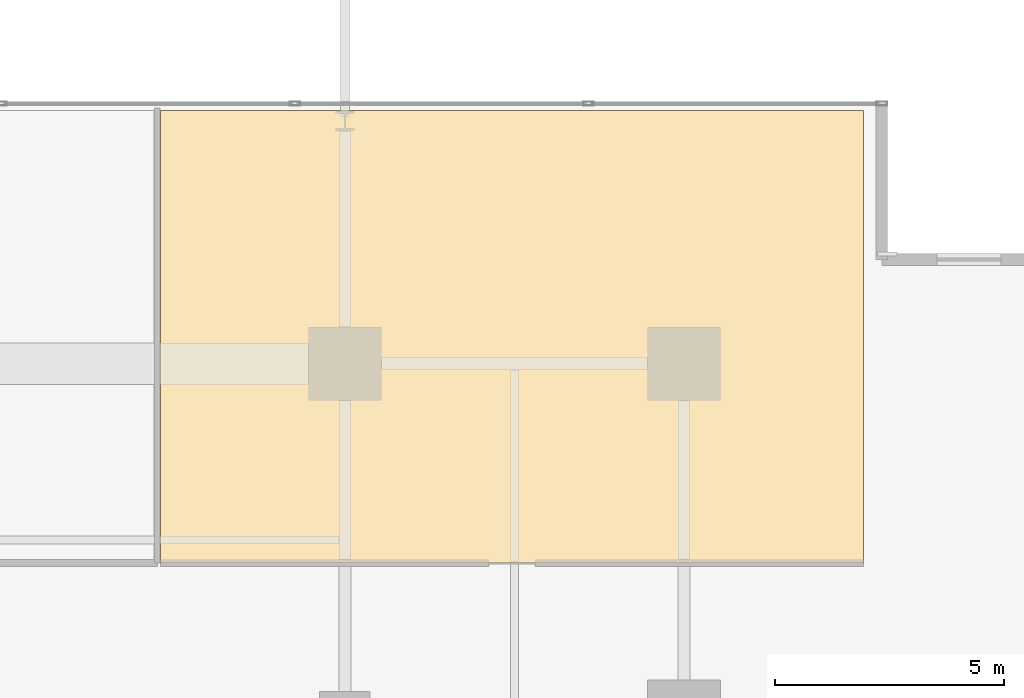
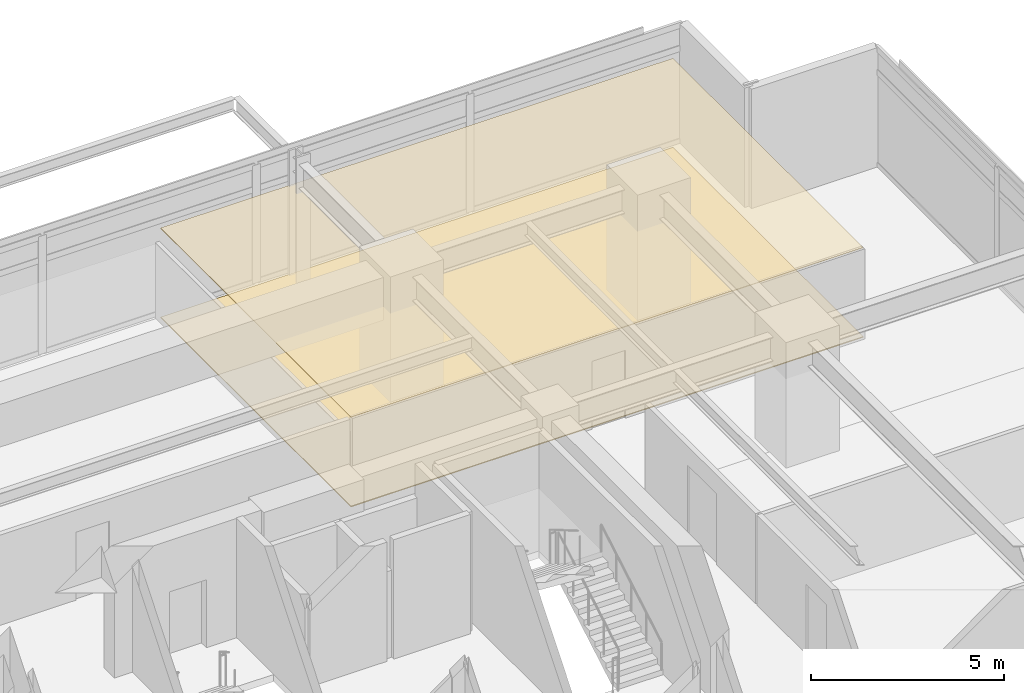
# One storey, part 24 of 24: 2 coverings.
"""IFC4 building model written with IfcOpenShell, lengths in metres."""

from ifc_helpers import new_model, si_unit, direction, frame, origin, place, context, subcontext, project, spatial, polyline, outline, extrude, material, layer, layer_set, type_object, element, save


model = new_model("IFC4")

# Units and contexts
model_context = context("Model", 3, precision=1e-05, world=origin(), true_north=direction((0.0, 1.0)))
body_context = subcontext(model_context, "Body", "Model", "MODEL_VIEW")
ifc_project = project(units=[si_unit("LENGTHUNIT", "METRE"), si_unit("AREAUNIT", "SQUARE_METRE"), si_unit("VOLUMEUNIT", "CUBIC_METRE"), si_unit("PLANEANGLEUNIT", "RADIAN"), si_unit("MASSUNIT", "GRAM", prefix="KILO")], contexts=[model_context])

# Site, building, storey
site_placement = place(None, origin())
site = spatial("IfcSite", under=ifc_project, at=site_placement, CompositionType="ELEMENT")
building_placement = place(site_placement, origin())
building = spatial("IfcBuilding", under=site, at=building_placement, Name="Kovane Verandah Tower", CompositionType="ELEMENT")
storey_placement = place(building_placement, frame((0.0, 0.0, 144.39990234375)))
storey = spatial("IfcBuildingStorey", under=building, at=storey_placement, Name="L33", CompositionType="ELEMENT", Elevation=144.39990234375)

# Coverings
ifc_material_1 = material(Name="Perforated Acoustic Mineral-Fibre Ceiling Tile", Category="gypsum")
ifc_layer_1 = layer(ifc_material_1, 0.02490234375)
ifc_layer_set_1 = layer_set([ifc_layer_1], Name="Perforated Acoustic Mineral-Fibre Ceiling Tile")
covering_type_1 = type_object("IfcCoveringType", Name="CV-CEIL-25", PredefinedType="CEILING", material=ifc_layer_set_1)
covering_1_placement = place(storey_placement, frame((0.0, 0.0, 2.8251953125)))
element("IfcCovering", 1, at=covering_1_placement, inside=storey, type_object=covering_type_1, Name="L33 Focus Studio N3 Acoustic Ceiling", PredefinedType="CEILING", context=body_context, shape_type="SweptSolid", body=[
    extrude(outline(polyline([(46.9765625, 39.85009765625), (62.313720703125, 39.85009765625), (62.313720703125, 49.72509765625), (46.9765625, 49.72509765625), (46.9765625, 39.85009765625)])), origin(), (0.0, 0.0, 1.0), 0.02490234375),
])
ifc_material_2 = material(Name="Polished Terrazzo and Raised-Access Carpet Tile Finish", Category="concrete")
ifc_layer_2 = layer(ifc_material_2, 0.030029296875)
ifc_layer_set_2 = layer_set([ifc_layer_2], Name="Polished Terrazzo and Raised-Access Carpet Tile Finish")
covering_type_2 = type_object("IfcCoveringType", Name="CV-FLOR-30", PredefinedType="FLOORING", material=ifc_layer_set_2)
covering_2_placement = place(storey_placement, origin())
element("IfcCovering", 2, at=covering_2_placement, inside=storey, type_object=covering_type_2, Name="L33 Focus Studio N3 Floor Finish", PredefinedType="FLOORING", context=body_context, shape_type="SweptSolid", body=[
    extrude(outline(polyline([(46.9765625, 39.85009765625), (62.313720703125, 39.85009765625), (62.313720703125, 49.72509765625), (46.9765625, 49.72509765625), (46.9765625, 39.85009765625)])), origin(), (0.0, 0.0, 1.0), 0.030029296875),
])

save(model, "model.ifc")
